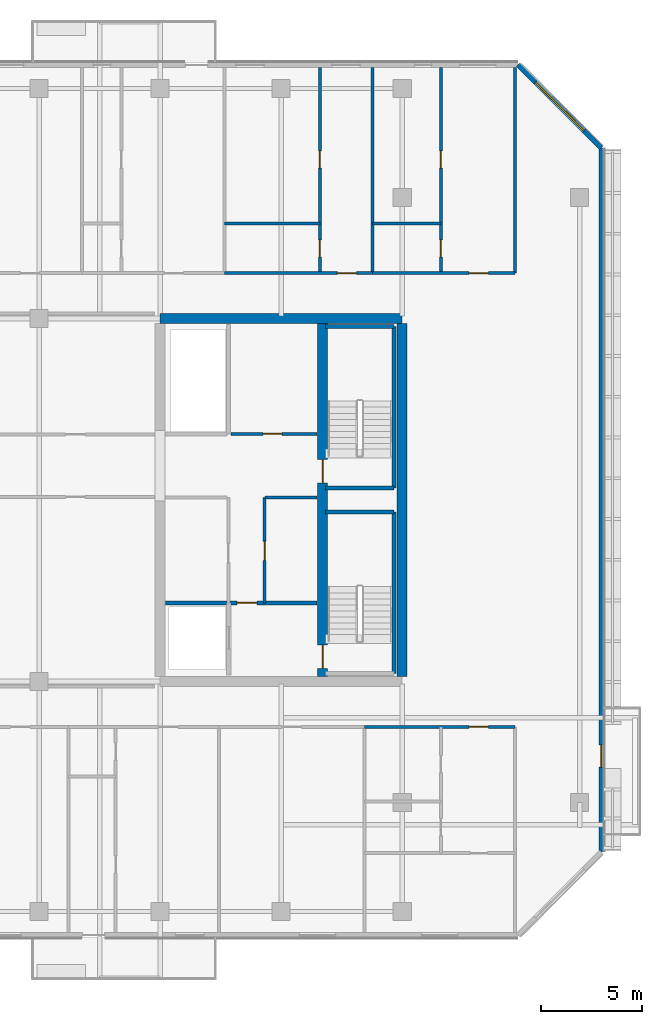
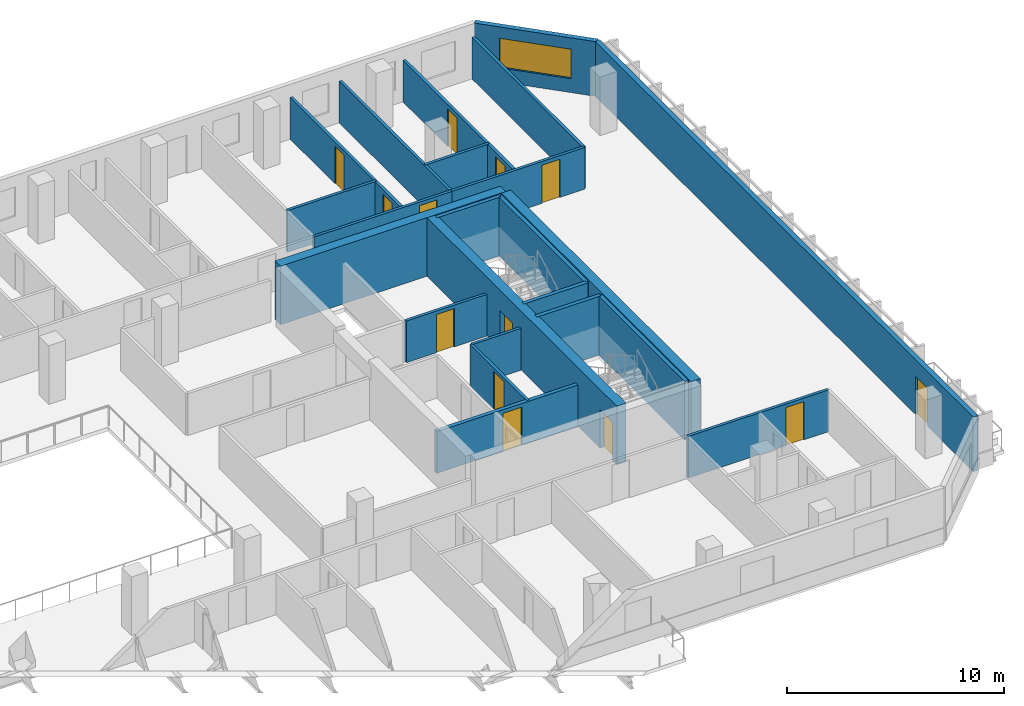
# One storey, part 14 of 19: 23 walls, 13 doors, 1 window, 14 openings.
"""IFC4 building model written with IfcOpenShell, lengths in metres."""

from ifc_helpers import new_model, si_unit, direction, frame, frame_2d, origin, place, context, subcontext, project, spatial, rectangle, extrude, material, layer, layer_set, type_object, element, fill, save


model = new_model("IFC4")

# Units and contexts
model_context = context("Model", 3, precision=1e-05, world=origin(), true_north=direction((0.0, 1.0)))
body_context = subcontext(model_context, "Body", "Model", "MODEL_VIEW")
ifc_project = project(units=[si_unit("LENGTHUNIT", "METRE"), si_unit("AREAUNIT", "SQUARE_METRE"), si_unit("VOLUMEUNIT", "CUBIC_METRE"), si_unit("PLANEANGLEUNIT", "RADIAN"), si_unit("MASSUNIT", "GRAM", prefix="KILO")], contexts=[model_context])

# Site, building, storey
site_placement = place(None, origin())
site = spatial("IfcSite", under=ifc_project, at=site_placement, CompositionType="ELEMENT")
building_placement = place(site_placement, origin())
building = spatial("IfcBuilding", under=site, at=building_placement, Name="Tanjung Sevakor Pilgrim Tower", CompositionType="ELEMENT")
storey_placement = place(building_placement, frame((0.0, 0.0, 135.300048828125)))
storey = spatial("IfcBuildingStorey", under=building, at=storey_placement, Name="L37", CompositionType="ELEMENT", Elevation=135.300048828125)

# Walls
ifc_material_1 = material(Name="Concrete C60/75", Category="concrete")
ifc_layer_1 = layer(ifc_material_1, 0.5)
ifc_layer_set_1 = layer_set([ifc_layer_1], Name="WALL-CW-500")
wall_type_1 = type_object("IfcWallType", Name="WALL-CW-500", PredefinedType="SHEAR", material=ifc_layer_set_1)
wall_1_placement = place(storey_placement, frame((90.0, 42.60009765625, 0.0), z_axis=(0.0, 0.0, 1.0), x_axis=(-1.0, 0.0, 0.0)))
element("IfcWall", 1, at=wall_1_placement, inside=storey, type_object=wall_type_1, Name="L37 E Core North Shear Wall", PredefinedType="SHEAR", context=body_context, shape_type="SweptSolid", body=[
    extrude(rectangle(XDim=12.0, YDim=0.5, at=frame_2d((6.0, 0.0))), origin(), (0.0, 0.0, 1.0), 3.300048828125),
])
wall_2_placement = place(storey_placement, frame((90.0, 24.85009765625, 0.0), z_axis=(0.0, 0.0, 1.0), x_axis=(0.0, 1.0, 0.0)))
element("IfcWall", 2, at=wall_2_placement, inside=storey, type_object=wall_type_1, Name="L37 E Core Outer Shear Wall", PredefinedType="SHEAR", context=body_context, shape_type="SweptSolid", body=[
    extrude(rectangle(XDim=17.5, YDim=0.5, at=frame_2d((8.75, 0.0))), origin(), (0.0, 0.0, 1.0), 3.300048828125),
])

# Wall, openings, doors
wall_3_placement = place(storey_placement, frame((86.050048828125, 24.85009765625, 0.0), z_axis=(0.0, 0.0, 1.0), x_axis=(0.0, 1.0, 0.0)))
wall_3 = element("IfcWall", 3, at=wall_3_placement, inside=storey, type_object=wall_type_1, Name="L37 E Core Stair Spine Wall", PredefinedType="SHEAR", context=body_context, shape_type="SweptSolid", body=[
    extrude(rectangle(XDim=17.5, YDim=0.5, at=frame_2d((8.75, 0.0))), origin(), (0.0, 0.0, 1.0), 3.300048828125),
])
opening_1_placement = place(wall_3_placement, frame((0.39990234375, 0.0, 0.0)))
opening_1 = element("IfcOpeningElement", 4, at=opening_1_placement, cuts=wall_3, Name="Opening ID-ST1", PredefinedType="OPENING", context=body_context, shape_type="SweptSolid", body=[
    extrude(rectangle(XDim=1.14990234375, YDim=2.14990234375, at=frame_2d((0.574951171875, 1.074951171875))), frame((0.0, 0.260009765625, 0.0), z_axis=(0.0, -1.0, 0.0), x_axis=(1.0, 0.0, 0.0)), (0.0, 0.0, 1.0), 0.52001953125),
])
opening_2_placement = place(wall_3_placement, frame((9.60009765625, 0.0, 0.0)))
opening_2 = element("IfcOpeningElement", 5, at=opening_2_placement, cuts=wall_3, Name="Opening ID-ST1", PredefinedType="OPENING", context=body_context, shape_type="SweptSolid", body=[
    extrude(rectangle(XDim=1.14990234375, YDim=2.14990234375, at=frame_2d((0.574951171875, 1.074951171875))), frame((0.0, 0.260009765625, 0.0), z_axis=(0.0, -1.0, 0.0), x_axis=(1.0, 0.0, 0.0)), (0.0, 0.0, 1.0), 0.52001953125),
])
ifc_material_2 = material(Name="Fire-Rated Steel S355J2", Category="steel")
door_type_1 = type_object("IfcDoorType", Name="DT-FIRE-1150", OperationType="NOTDEFINED", PredefinedType="DOOR", material=ifc_material_2)
door_1_placement = place(opening_1_placement, origin())
door_1 = element("IfcDoor", 6, at=door_1_placement, inside=storey, type_object=door_type_1, Name="L37 TS-E1 Stair Fire Door", OperationType="SINGLE_SWING_LEFT", OverallHeight=2.14990234375, OverallWidth=1.14990234375, PredefinedType="DOOR", context=body_context, shape_type="SweptSolid", body=[
    extrude(rectangle(XDim=1.14990234375, YDim=2.14990234375, at=frame_2d((0.574951171875, 1.074951171875))), frame((0.0, 0.02490234375, 0.0), z_axis=(0.0, -1.0, 0.0), x_axis=(1.0, 0.0, 0.0)), (0.0, 0.0, 1.0), 0.050048828125),
])
fill(opening_1, door_1)
door_2_placement = place(opening_2_placement, origin())
door_2 = element("IfcDoor", 7, at=door_2_placement, inside=storey, type_object=door_type_1, Name="L37 TS-E2 Stair Fire Door", OperationType="SINGLE_SWING_RIGHT", OverallHeight=2.14990234375, OverallWidth=1.14990234375, PredefinedType="DOOR", context=body_context, shape_type="SweptSolid", body=[
    extrude(rectangle(XDim=1.14990234375, YDim=2.14990234375, at=frame_2d((0.574951171875, 1.074951171875))), frame((0.0, 0.02490234375, 0.0), z_axis=(0.0, -1.0, 0.0), x_axis=(1.0, 0.0, 0.0)), (0.0, 0.0, 1.0), 0.050048828125),
])
fill(opening_2, door_2)

# Wall
ifc_material_3 = material(Name="Concrete C40/50", Category="concrete")
ifc_layer_2 = layer(ifc_material_3, 0.14990234375)
ifc_layer_set_2 = layer_set([ifc_layer_2], Name="WT-COMP-150")
wall_type_2 = type_object("IfcWallType", Name="WT-COMP-150", PredefinedType="SOLIDWALL", material=ifc_layer_set_2)
wall_4_placement = place(storey_placement, frame((83.199951171875, 33.719970703125, 0.0), z_axis=(0.0, 0.0, 1.0), x_axis=(1.0, 0.0, 0.0)))
element("IfcWall", 8, at=wall_4_placement, inside=storey, type_object=wall_type_2, Name="L37 Partition IW-L37-012", PredefinedType="SOLIDWALL", context=body_context, shape_type="SweptSolid", body=[
    extrude(rectangle(XDim=2.580078125, YDim=0.14990234375, at=frame_2d((1.2900390625, 0.0))), origin(), (0.0, 0.0, 1.0), 2.35009765625),
])

# Wall, opening, door
wall_5_placement = place(storey_placement, frame((83.179931640625, 28.5, 0.0), z_axis=(0.0, 0.0, 1.0), x_axis=(0.0, 1.0, 0.0)))
wall_5 = element("IfcWall", 9, at=wall_5_placement, inside=storey, type_object=wall_type_2, Name="L37 Partition IW-L37-013", PredefinedType="SOLIDWALL", context=body_context, shape_type="SweptSolid", body=[
    extrude(rectangle(XDim=5.219970703125, YDim=0.14990234375, at=frame_2d((2.60986328125, 0.0))), origin(), (0.0, 0.0, 1.0), 2.35009765625),
])
opening_3_placement = place(wall_5_placement, frame((2.10009765625, 0.0, 0.0)))
opening_3 = element("IfcOpeningElement", 10, at=opening_3_placement, cuts=wall_5, Name="Opening ID-FD2", PredefinedType="OPENING", context=body_context, shape_type="SweptSolid", body=[
    extrude(rectangle(XDim=0.949951171875, YDim=2.14990234375, at=frame_2d((0.47509765625, 1.074951171875))), frame((0.0, 0.0849609375, 0.0), z_axis=(0.0, -1.0, 0.0), x_axis=(1.0, 0.0, 0.0)), (0.0, 0.0, 1.0), 0.169921875),
])
ifc_material_4 = material(Name="Fire-Rated Timber", Category="wood")
door_type_2 = type_object("IfcDoorType", Name="DT-FIRE-950", OperationType="NOTDEFINED", PredefinedType="DOOR", material=ifc_material_4)
door_3_placement = place(opening_3_placement, origin())
door_3 = element("IfcDoor", 11, at=door_3_placement, inside=storey, type_object=door_type_2, Name="L37 Housekeeping Pantry Door", OperationType="SINGLE_SWING_LEFT", OverallHeight=2.14990234375, OverallWidth=0.949951171875, PredefinedType="DOOR", context=body_context, shape_type="SweptSolid", body=[
    extrude(rectangle(XDim=0.949951171875, YDim=2.14990234375, at=frame_2d((0.47509765625, 1.074951171875))), frame((0.0, 0.02490234375, 0.0), z_axis=(0.0, -1.0, 0.0), x_axis=(1.0, 0.0, 0.0)), (0.0, 0.0, 1.0), 0.050048828125),
])
fill(opening_3, door_3)

wall_6_placement = place(storey_placement, frame((81.5, 36.8798828125, 0.0), z_axis=(0.0, 0.0, 1.0), x_axis=(1.0, 0.0, 0.0)))
wall_6 = element("IfcWall", 12, at=wall_6_placement, inside=storey, type_object=wall_type_2, Name="L37 Partition IW-L37-016", PredefinedType="SOLIDWALL", context=body_context, shape_type="SweptSolid", body=[
    extrude(rectangle(XDim=4.280029296875, YDim=0.14990234375, at=frame_2d((2.14013671875, 0.0))), origin(), (0.0, 0.0, 1.0), 2.35009765625),
])
opening_4_placement = place(wall_6_placement, frame((1.60009765625, 0.0, 0.0)))
opening_4 = element("IfcOpeningElement", 13, at=opening_4_placement, cuts=wall_6, Name="Opening ID-FD2", PredefinedType="OPENING", context=body_context, shape_type="SweptSolid", body=[
    extrude(rectangle(XDim=0.949951171875, YDim=2.14990234375, at=frame_2d((0.47509765625, 1.074951171875))), frame((0.0, 0.0849609375, 0.0), z_axis=(0.0, -1.0, 0.0), x_axis=(1.0, 0.0, 0.0)), (0.0, 0.0, 1.0), 0.169921875),
])
door_4_placement = place(opening_4_placement, origin())
door_4 = element("IfcDoor", 14, at=door_4_placement, inside=storey, type_object=door_type_2, Name="L37 Core Prayer Room Door", OperationType="SINGLE_SWING_LEFT", OverallHeight=2.14990234375, OverallWidth=0.949951171875, PredefinedType="DOOR", context=body_context, shape_type="SweptSolid", body=[
    extrude(rectangle(XDim=0.949951171875, YDim=2.14990234375, at=frame_2d((0.47509765625, 1.074951171875))), frame((0.0, 0.02490234375, 0.0), z_axis=(0.0, -1.0, 0.0), x_axis=(1.0, 0.0, 0.0)), (0.0, 0.0, 1.0), 0.050048828125),
])
fill(opening_4, door_4)

wall_7_placement = place(storey_placement, frame((88.12255859375, 22.35009765625, 0.0), z_axis=(0.0, 0.0, 1.0), x_axis=(1.0, 0.0, 0.0)))
wall_7 = element("IfcWall", 15, at=wall_7_placement, inside=storey, type_object=wall_type_2, Name="L37 Partition IW-L37-067", PredefinedType="SOLIDWALL", context=body_context, shape_type="SweptSolid", body=[
    extrude(rectangle(XDim=7.4775390625, YDim=0.14990234375, at=frame_2d((3.73876953125, 0.0))), origin(), (0.0, 0.0, 1.0), 2.35009765625),
])
opening_5_placement = place(wall_7_placement, frame((5.202392578125, 0.0, 0.0)))
opening_5 = element("IfcOpeningElement", 16, at=opening_5_placement, cuts=wall_7, Name="Opening ID-FD2", PredefinedType="OPENING", context=body_context, shape_type="SweptSolid", body=[
    extrude(rectangle(XDim=0.949951171875, YDim=2.14990234375, at=frame_2d((0.47509765625, 1.074951171875))), frame((0.0, 0.0849609375, 0.0), z_axis=(0.0, -1.0, 0.0), x_axis=(1.0, 0.0, 0.0)), (0.0, 0.0, 1.0), 0.169921875),
])
door_5_placement = place(opening_5_placement, origin())
door_5 = element("IfcDoor", 17, at=door_5_placement, inside=storey, type_object=door_type_2, Name="Residence Entrance", OperationType="SINGLE_SWING_RIGHT", OverallHeight=2.14990234375, OverallWidth=0.949951171875, PredefinedType="DOOR", context=body_context, shape_type="SweptSolid", body=[
    extrude(rectangle(XDim=0.949951171875, YDim=2.14990234375, at=frame_2d((0.47509765625, 1.074951171875))), frame((0.0, 0.02490234375, 0.0), z_axis=(0.0, -1.0, 0.0), x_axis=(1.0, 0.0, 0.0)), (0.0, 0.0, 1.0), 0.050048828125),
])
fill(opening_5, door_5)

# Walls
for number, where, z_axis, x_axis, name in (
    (18, (95.60009765625, 44.85009765625, 0.0), (0.0, 0.0, 1.0), (0.0, 1.0, 0.0), "L37 Partition IW-L37-078"),
    (19, (88.534423828125, 44.85009765625, 0.0), (0.0, 0.0, 1.0), (0.0, 1.0, 0.0), "L37 Partition IW-L37-093"),
):
    element("IfcWall", number, at=place(storey_placement, frame(where, z_axis=z_axis, x_axis=x_axis)), inside=storey, type_object=wall_type_2, Name=name, PredefinedType="SOLIDWALL", context=body_context, shape_type="SweptSolid", body=[
        extrude(rectangle(XDim=10.199951171875, YDim=0.14990234375, at=frame_2d((5.10009765625, 0.0))), origin(), (0.0, 0.0, 1.0), 2.35009765625),
    ])

# Wall, opening, door
wall_8_placement = place(storey_placement, frame((81.197265625, 44.85009765625, 0.0), z_axis=(0.0, 0.0, 1.0), x_axis=(1.0, 0.0, 0.0)))
wall_8 = element("IfcWall", 20, at=wall_8_placement, inside=storey, type_object=wall_type_2, Name="L37 Partition IW-L37-096", PredefinedType="SOLIDWALL", context=body_context, shape_type="SweptSolid", body=[
    extrude(rectangle(XDim=7.337158203125, YDim=0.14990234375, at=frame_2d((3.66845703125, 0.0))), origin(), (0.0, 0.0, 1.0), 2.35009765625),
])
opening_6_placement = place(wall_8_placement, frame((5.594970703125, 0.0, 0.0)))
opening_6 = element("IfcOpeningElement", 21, at=opening_6_placement, cuts=wall_8, Name="Opening ID-FD2", PredefinedType="OPENING", context=body_context, shape_type="SweptSolid", body=[
    extrude(rectangle(XDim=0.949951171875, YDim=2.14990234375, at=frame_2d((0.47509765625, 1.074951171875))), frame((0.0, 0.0849609375, 0.0), z_axis=(0.0, -1.0, 0.0), x_axis=(1.0, 0.0, 0.0)), (0.0, 0.0, 1.0), 0.169921875),
])
door_6_placement = place(opening_6_placement, origin())
door_6 = element("IfcDoor", 22, at=door_6_placement, inside=storey, type_object=door_type_2, Name="Hostel Quad Entrance", OperationType="SINGLE_SWING_LEFT", OverallHeight=2.14990234375, OverallWidth=0.949951171875, PredefinedType="DOOR", context=body_context, shape_type="SweptSolid", body=[
    extrude(rectangle(XDim=0.949951171875, YDim=2.14990234375, at=frame_2d((0.47509765625, 1.074951171875))), frame((0.0, 0.02490234375, 0.0), z_axis=(0.0, -1.0, 0.0), x_axis=(1.0, 0.0, 0.0)), (0.0, 0.0, 1.0), 0.050048828125),
])
fill(opening_6, door_6)

wall_9_placement = place(storey_placement, frame((88.534423828125, 44.85009765625, 0.0), z_axis=(0.0, 0.0, 1.0), x_axis=(1.0, 0.0, 0.0)))
wall_9 = element("IfcWall", 23, at=wall_9_placement, inside=storey, type_object=wall_type_2, Name="L37 Partition IW-L37-099", PredefinedType="SOLIDWALL", context=body_context, shape_type="SweptSolid", body=[
    extrude(rectangle(XDim=7.065673828125, YDim=0.14990234375, at=frame_2d((3.53271484375, 0.0))), origin(), (0.0, 0.0, 1.0), 2.35009765625),
])
opening_7_placement = place(wall_9_placement, frame((4.79052734375, 0.0, 0.0)))
opening_7 = element("IfcOpeningElement", 24, at=opening_7_placement, cuts=wall_9, Name="Opening ID-FD2", PredefinedType="OPENING", context=body_context, shape_type="SweptSolid", body=[
    extrude(rectangle(XDim=0.949951171875, YDim=2.14990234375, at=frame_2d((0.47509765625, 1.074951171875))), frame((0.0, 0.0849609375, 0.0), z_axis=(0.0, -1.0, 0.0), x_axis=(1.0, 0.0, 0.0)), (0.0, 0.0, 1.0), 0.169921875),
])
door_7_placement = place(opening_7_placement, origin())
door_7 = element("IfcDoor", 25, at=door_7_placement, inside=storey, type_object=door_type_2, Name="Hostel Quad Entrance", OperationType="SINGLE_SWING_RIGHT", OverallHeight=2.14990234375, OverallWidth=0.949951171875, PredefinedType="DOOR", context=body_context, shape_type="SweptSolid", body=[
    extrude(rectangle(XDim=0.949951171875, YDim=2.14990234375, at=frame_2d((0.47509765625, 1.074951171875))), frame((0.0, 0.02490234375, 0.0), z_axis=(0.0, -1.0, 0.0), x_axis=(1.0, 0.0, 0.0)), (0.0, 0.0, 1.0), 0.050048828125),
])
fill(opening_7, door_7)

ifc_material_5 = material(Name="Precast concrete C45/55", Category="concrete")
ifc_layer_3 = layer(ifc_material_5, 0.25)
ifc_layer_set_3 = layer_set([ifc_layer_3], Name="WT-EW-STN3")
wall_type_3 = type_object("IfcWallType", Name="WT-EW-STN3", PredefinedType="SOLIDWALL", material=ifc_layer_set_3)
wall_10_placement = place(storey_placement, frame((99.875, 16.15185546875, 0.0), z_axis=(0.0, 0.0, 1.0), x_axis=(0.0, 1.0, 0.0)))
wall_10 = element("IfcWall", 26, at=wall_10_placement, inside=storey, type_object=wall_type_3, Name="L37 MAIN Exterior Wall 7", PredefinedType="SOLIDWALL", context=body_context, shape_type="SweptSolid", body=[
    extrude(rectangle(XDim=34.896240234375, YDim=0.25, at=frame_2d((17.4482421875, 0.0))), origin(), (0.0, 0.0, 1.0), 3.080078125),
])
opening_8_placement = place(wall_10_placement, frame((4.1982421875, 0.0, 0.0)))
opening_8 = element("IfcOpeningElement", 27, at=opening_8_placement, cuts=wall_10, Name="Opening ED-BAL-1100", PredefinedType="OPENING", context=body_context, shape_type="SweptSolid", body=[
    extrude(rectangle(XDim=1.10009765625, YDim=2.14990234375, at=frame_2d((0.550048828125, 1.074951171875))), frame((0.0, 0.135009765625, 0.0), z_axis=(0.0, -1.0, 0.0), x_axis=(1.0, 0.0, 0.0)), (0.0, 0.0, 1.0), 0.27001953125),
])
ifc_material_6 = material(Name="Anodised Aluminium and Laminated Glass", Category="aluminium")
door_type_3 = type_object("IfcDoorType", Name="DTYP-ED-BAL-1100", OperationType="NOTDEFINED", PredefinedType="DOOR", material=ifc_material_6)
door_8_placement = place(opening_8_placement, frame((1.10009765625, 0.0, 0.0), z_axis=(0.0, 0.0, 1.0), x_axis=(-1.0, 0.0, 0.0)))
door_8 = element("IfcDoor", 28, at=door_8_placement, inside=storey, type_object=door_type_3, Name="L37 East Loggia Door MAIN-E1", OperationType="SINGLE_SWING_LEFT", OverallHeight=2.14990234375, OverallWidth=1.10009765625, PredefinedType="DOOR", context=body_context, shape_type="SweptSolid", body=[
    extrude(rectangle(XDim=1.10009765625, YDim=2.14990234375, at=frame_2d((0.550048828125, 1.074951171875))), frame((0.0, 0.02490234375, 0.0), z_axis=(0.0, -1.0, 0.0), x_axis=(1.0, 0.0, 0.0)), (0.0, 0.0, 1.0), 0.050048828125),
])
fill(opening_8, door_8)

# Wall, opening, window
wall_11_placement = place(storey_placement, frame((99.875, 51.048095703125, 0.0), z_axis=(0.0, 0.0, 1.0), x_axis=(-0.70708586489, 0.707127696864, 0.0)))
wall_11 = element("IfcWall", 29, at=wall_11_placement, inside=storey, type_object=wall_type_3, Name="L37 MAIN Sculpted Corner Wall 7", PredefinedType="SOLIDWALL", context=body_context, shape_type="SweptSolid", body=[
    extrude(rectangle(XDim=5.836181640625, YDim=0.25, at=frame_2d((2.91796875, 0.0))), origin(), (0.0, 0.0, 1.0), 3.080078125),
])
opening_9_placement = place(wall_11_placement, frame((1.218017578125, 0.0, 0.780029296875)))
opening_9 = element("IfcOpeningElement", 30, at=opening_9_placement, cuts=wall_11, Name="Opening WN-CHM-1660", PredefinedType="OPENING", context=body_context, shape_type="SweptSolid", body=[
    extrude(rectangle(XDim=3.39990234375, YDim=1.659912109375, at=frame_2d((1.699951171875, 0.830078125))), frame((0.0, 0.135009765625, 0.0), z_axis=(0.0, -1.0, 0.0), x_axis=(1.0, 0.0, 0.0)), (0.0, 0.0, 1.0), 0.27001953125),
])
ifc_material_7 = material(Name="Thermally Broken Aluminium and Low-E Glass", Category="aluminium")
window_type = type_object("IfcWindowType", Name="WTYP-WN-CHM-1660", PartitioningType="DOUBLE_PANEL_VERTICAL", PredefinedType="WINDOW", material=ifc_material_7)
window_placement = place(opening_9_placement, origin())
window = element("IfcWindow", 31, at=window_placement, inside=storey, type_object=window_type, Name="L37 Facade Window 01", OverallHeight=1.659912109375, OverallWidth=3.39990234375, PartitioningType="SINGLE_PANEL", PredefinedType="WINDOW", context=body_context, shape_type="SweptSolid", body=[
    extrude(rectangle(XDim=3.39990234375, YDim=1.659912109375, at=frame_2d((1.699951171875, 0.830078125))), frame((0.0, 0.030029296875, 0.0), z_axis=(0.0, -1.0, 0.0), x_axis=(1.0, 0.0, 0.0)), (0.0, 0.0, 1.0), 0.06005859375),
])
fill(opening_9, window)

# Walls
ifc_material_8 = material(Name="Concrete C40/50", Category="concrete")
ifc_layer_4 = layer(ifc_material_8, 0.199951171875)
ifc_layer_set_4 = layer_set([ifc_layer_4], Name="WT-FIRE-200")
wall_type_4 = type_object("IfcWallType", Name="WT-FIRE-200", PredefinedType="SOLIDWALL", material=ifc_layer_set_4)
wall_12_placement = place(storey_placement, frame((89.60009765625, 25.0, 0.0), z_axis=(0.0, 0.0, 1.0), x_axis=(0.0, 1.0, 0.0)))
element("IfcWall", 32, at=wall_12_placement, inside=storey, type_object=wall_type_4, Name="L37 TS-E1 Shaft Wall 2", PredefinedType="SOLIDWALL", context=body_context, shape_type="SweptSolid", body=[
    extrude(rectangle(XDim=8.0, YDim=0.199951171875, at=frame_2d((4.0, 0.0))), origin(), (0.0, 0.0, 1.0), 3.300048828125),
])
for number, where, z_axis, x_axis, name in (
    (33, (89.60009765625, 33.0, 0.0), (0.0, 0.0, 1.0), (-1.0, 0.0, 0.0), "L37 TS-E1 Shaft Wall 3"),
    (34, (86.199951171875, 34.199951171875, 0.0), (0.0, 0.0, 1.0), (1.0, 0.0, 0.0), "L37 TS-E2 Shaft Wall 1"),
):
    element("IfcWall", number, at=place(storey_placement, frame(where, z_axis=z_axis, x_axis=x_axis)), inside=storey, type_object=wall_type_4, Name=name, PredefinedType="SOLIDWALL", context=body_context, shape_type="SweptSolid", body=[
        extrude(rectangle(XDim=3.400146484375, YDim=0.199951171875, at=frame_2d((1.7001953125, 0.0))), origin(), (0.0, 0.0, 1.0), 3.300048828125),
    ])
wall_13_placement = place(storey_placement, frame((89.60009765625, 34.199951171875, 0.0), z_axis=(0.0, 0.0, 1.0), x_axis=(0.0, 1.0, 0.0)))
element("IfcWall", 35, at=wall_13_placement, inside=storey, type_object=wall_type_4, Name="L37 TS-E2 Shaft Wall 2", PredefinedType="SOLIDWALL", context=body_context, shape_type="SweptSolid", body=[
    extrude(rectangle(XDim=8.0, YDim=0.199951171875, at=frame_2d((4.0, 0.0))), origin(), (0.0, 0.0, 1.0), 3.300048828125),
])
wall_14_placement = place(storey_placement, frame((89.60009765625, 42.199951171875, 0.0), z_axis=(0.0, 0.0, 1.0), x_axis=(-1.0, 0.0, 0.0)))
element("IfcWall", 36, at=wall_14_placement, inside=storey, type_object=wall_type_4, Name="L37 TS-E2 Shaft Wall 3", PredefinedType="SOLIDWALL", context=body_context, shape_type="SweptSolid", body=[
    extrude(rectangle(XDim=3.400146484375, YDim=0.199951171875, at=frame_2d((1.7001953125, 0.0))), origin(), (0.0, 0.0, 1.0), 3.300048828125),
])

# Wall, opening, door
ifc_material_9 = material(Name="Concrete C40/50", Category="concrete")
ifc_layer_5 = layer(ifc_material_9, 0.199951171875)
ifc_layer_set_5 = layer_set([ifc_layer_5], Name="WT-FPRT-200")
wall_type_5 = type_object("IfcWallType", Name="WT-FPRT-200", PredefinedType="SOLIDWALL", material=ifc_layer_set_5)
wall_15_placement = place(storey_placement, frame((78.27001953125, 28.5, 0.0), z_axis=(0.0, 0.0, 1.0), x_axis=(1.0, 0.0, 0.0)))
wall_15 = element("IfcWall", 37, at=wall_15_placement, inside=storey, type_object=wall_type_5, Name="L37 Partition IW-L37-011", PredefinedType="SOLIDWALL", context=body_context, shape_type="SweptSolid", body=[
    extrude(rectangle(XDim=7.510009765625, YDim=0.199951171875, at=frame_2d((3.7548828125, 0.0))), origin(), (0.0, 0.0, 1.0), 2.35009765625),
])
opening_10_placement = place(wall_15_placement, frame((3.530029296875, 0.0, 0.0)))
opening_10 = element("IfcOpeningElement", 38, at=opening_10_placement, cuts=wall_15, Name="Opening ID-FD1", PredefinedType="OPENING", context=body_context, shape_type="SweptSolid", body=[
    extrude(rectangle(XDim=1.0, YDim=2.14990234375, at=frame_2d((0.5, 1.074951171875))), frame((0.0, 0.10986328125, 0.0), z_axis=(0.0, -1.0, 0.0), x_axis=(1.0, 0.0, 0.0)), (0.0, 0.0, 1.0), 0.219970703125),
])
ifc_material_10 = material(Name="Fire-Rated Steel S355J2", Category="steel")
door_type_4 = type_object("IfcDoorType", Name="DT-FIRE-1000", OperationType="NOTDEFINED", PredefinedType="DOOR", material=ifc_material_10)
door_9_placement = place(opening_10_placement, origin())
door_9 = element("IfcDoor", 39, at=door_9_placement, inside=storey, type_object=door_type_4, Name="Fire Lobby Door E", OperationType="SINGLE_SWING_RIGHT", OverallHeight=2.14990234375, OverallWidth=1.0, PredefinedType="DOOR", context=body_context, shape_type="SweptSolid", body=[
    extrude(rectangle(XDim=1.0, YDim=2.14990234375, at=frame_2d((0.5, 1.074951171875))), frame((0.0, 0.02490234375, 0.0), z_axis=(0.0, -1.0, 0.0), x_axis=(1.0, 0.0, 0.0)), (0.0, 0.0, 1.0), 0.050048828125),
])
fill(opening_10, door_9)

# Wall
ifc_material_11 = material(Name="Gypsum Board Partition", Category="gypsum board")
ifc_layer_6 = layer(ifc_material_11, 0.14990234375)
ifc_layer_set_6 = layer_set([ifc_layer_6], Name="WT-PART-150")
wall_type_6 = type_object("IfcWallType", Name="WT-PART-150", PredefinedType="PARTITIONING", material=ifc_layer_set_6)
wall_16_placement = place(storey_placement, frame((81.197265625, 47.300048828125, 0.0), z_axis=(0.0, 0.0, 1.0), x_axis=(1.0, 0.0, 0.0)))
element("IfcWall", 40, at=wall_16_placement, inside=storey, type_object=wall_type_6, Name="L37 Partition IW-L37-094", PredefinedType="PARTITIONING", context=body_context, shape_type="SweptSolid", body=[
    extrude(rectangle(XDim=4.72265625, YDim=0.14990234375, at=frame_2d((2.361328125, 0.0))), origin(), (0.0, 0.0, 1.0), 2.35009765625),
])

# Wall, openings, doors
wall_17_placement = place(storey_placement, frame((85.919921875, 44.85009765625, 0.0), z_axis=(0.0, 0.0, 1.0), x_axis=(0.0, 1.0, 0.0)))
wall_17 = element("IfcWall", 41, at=wall_17_placement, inside=storey, type_object=wall_type_6, Name="L37 Partition IW-L37-095", PredefinedType="PARTITIONING", context=body_context, shape_type="SweptSolid", body=[
    extrude(rectangle(XDim=10.199951171875, YDim=0.14990234375, at=frame_2d((5.10009765625, 0.0))), origin(), (0.0, 0.0, 1.0), 2.35009765625),
])
opening_11_placement = place(wall_17_placement, frame((0.800048828125, 0.0, 0.0)))
opening_11 = element("IfcOpeningElement", 42, at=opening_11_placement, cuts=wall_17, Name="Opening ID-WC1", PredefinedType="OPENING", context=body_context, shape_type="SweptSolid", body=[
    extrude(rectangle(XDim=0.85009765625, YDim=2.10009765625, at=frame_2d((0.425048828125, 1.050048828125))), frame((0.0, 0.0849609375, 0.0), z_axis=(0.0, -1.0, 0.0), x_axis=(1.0, 0.0, 0.0)), (0.0, 0.0, 1.0), 0.169921875),
])
opening_12_placement = place(wall_17_placement, frame((5.2099609375, 0.0, 0.0)))
opening_12 = element("IfcOpeningElement", 43, at=opening_12_placement, cuts=wall_17, Name="Opening ID-WC1", PredefinedType="OPENING", context=body_context, shape_type="SweptSolid", body=[
    extrude(rectangle(XDim=0.85009765625, YDim=2.10009765625, at=frame_2d((0.425048828125, 1.050048828125))), frame((0.0, 0.0849609375, 0.0), z_axis=(0.0, -1.0, 0.0), x_axis=(1.0, 0.0, 0.0)), (0.0, 0.0, 1.0), 0.169921875),
])
ifc_material_12 = material(Name="Moisture-Resistant Timber", Category="wood")
door_type_5 = type_object("IfcDoorType", Name="DT-INT-850", OperationType="NOTDEFINED", PredefinedType="DOOR", material=ifc_material_12)
door_10_placement = place(opening_11_placement, origin())
door_10 = element("IfcDoor", 44, at=door_10_placement, inside=storey, type_object=door_type_5, Name="Bathroom Door", OperationType="SINGLE_SWING_LEFT", OverallHeight=2.10009765625, OverallWidth=0.85009765625, PredefinedType="DOOR", context=body_context, shape_type="SweptSolid", body=[
    extrude(rectangle(XDim=0.85009765625, YDim=2.10009765625, at=frame_2d((0.425048828125, 1.050048828125))), frame((0.0, 0.02490234375, 0.0), z_axis=(0.0, -1.0, 0.0), x_axis=(1.0, 0.0, 0.0)), (0.0, 0.0, 1.0), 0.050048828125),
])
fill(opening_11, door_10)
door_11_placement = place(opening_12_placement, origin())
door_11 = element("IfcDoor", 45, at=door_11_placement, inside=storey, type_object=door_type_5, Name="Study Nook Door", OperationType="SINGLE_SWING_RIGHT", OverallHeight=2.10009765625, OverallWidth=0.85009765625, PredefinedType="DOOR", context=body_context, shape_type="SweptSolid", body=[
    extrude(rectangle(XDim=0.85009765625, YDim=2.10009765625, at=frame_2d((0.425048828125, 1.050048828125))), frame((0.0, 0.02490234375, 0.0), z_axis=(0.0, -1.0, 0.0), x_axis=(1.0, 0.0, 0.0)), (0.0, 0.0, 1.0), 0.050048828125),
])
fill(opening_12, door_11)

# Wall
wall_18_placement = place(storey_placement, frame((88.534423828125, 47.300048828125, 0.0), z_axis=(0.0, 0.0, 1.0), x_axis=(1.0, 0.0, 0.0)))
element("IfcWall", 46, at=wall_18_placement, inside=storey, type_object=wall_type_6, Name="L37 Partition IW-L37-097", PredefinedType="PARTITIONING", context=body_context, shape_type="SweptSolid", body=[
    extrude(rectangle(XDim=3.385498046875, YDim=0.14990234375, at=frame_2d((1.69287109375, 0.0))), origin(), (0.0, 0.0, 1.0), 2.35009765625),
])

# Wall, openings, doors
wall_19_placement = place(storey_placement, frame((91.919921875, 44.85009765625, 0.0), z_axis=(0.0, 0.0, 1.0), x_axis=(0.0, 1.0, 0.0)))
wall_19 = element("IfcWall", 47, at=wall_19_placement, inside=storey, type_object=wall_type_6, Name="L37 Partition IW-L37-098", PredefinedType="PARTITIONING", context=body_context, shape_type="SweptSolid", body=[
    extrude(rectangle(XDim=10.199951171875, YDim=0.14990234375, at=frame_2d((5.10009765625, 0.0))), origin(), (0.0, 0.0, 1.0), 2.35009765625),
])
opening_13_placement = place(wall_19_placement, frame((0.800048828125, 0.0, 0.0)))
opening_13 = element("IfcOpeningElement", 48, at=opening_13_placement, cuts=wall_19, Name="Opening ID-WC1", PredefinedType="OPENING", context=body_context, shape_type="SweptSolid", body=[
    extrude(rectangle(XDim=0.85009765625, YDim=2.10009765625, at=frame_2d((0.425048828125, 1.050048828125))), frame((0.0, 0.0849609375, 0.0), z_axis=(0.0, -1.0, 0.0), x_axis=(1.0, 0.0, 0.0)), (0.0, 0.0, 1.0), 0.169921875),
])
opening_14_placement = place(wall_19_placement, frame((5.2099609375, 0.0, 0.0)))
opening_14 = element("IfcOpeningElement", 49, at=opening_14_placement, cuts=wall_19, Name="Opening ID-WC1", PredefinedType="OPENING", context=body_context, shape_type="SweptSolid", body=[
    extrude(rectangle(XDim=0.85009765625, YDim=2.10009765625, at=frame_2d((0.425048828125, 1.050048828125))), frame((0.0, 0.0849609375, 0.0), z_axis=(0.0, -1.0, 0.0), x_axis=(1.0, 0.0, 0.0)), (0.0, 0.0, 1.0), 0.169921875),
])
door_12_placement = place(opening_13_placement, origin())
door_12 = element("IfcDoor", 50, at=door_12_placement, inside=storey, type_object=door_type_5, Name="Bathroom Door", OperationType="SINGLE_SWING_RIGHT", OverallHeight=2.10009765625, OverallWidth=0.85009765625, PredefinedType="DOOR", context=body_context, shape_type="SweptSolid", body=[
    extrude(rectangle(XDim=0.85009765625, YDim=2.10009765625, at=frame_2d((0.425048828125, 1.050048828125))), frame((0.0, 0.02490234375, 0.0), z_axis=(0.0, -1.0, 0.0), x_axis=(1.0, 0.0, 0.0)), (0.0, 0.0, 1.0), 0.050048828125),
])
fill(opening_13, door_12)
door_13_placement = place(opening_14_placement, origin())
door_13 = element("IfcDoor", 51, at=door_13_placement, inside=storey, type_object=door_type_5, Name="Study Nook Door", OperationType="SINGLE_SWING_LEFT", OverallHeight=2.10009765625, OverallWidth=0.85009765625, PredefinedType="DOOR", context=body_context, shape_type="SweptSolid", body=[
    extrude(rectangle(XDim=0.85009765625, YDim=2.10009765625, at=frame_2d((0.425048828125, 1.050048828125))), frame((0.0, 0.02490234375, 0.0), z_axis=(0.0, -1.0, 0.0), x_axis=(1.0, 0.0, 0.0)), (0.0, 0.0, 1.0), 0.050048828125),
])
fill(opening_14, door_13)

save(model, "model.ifc")
